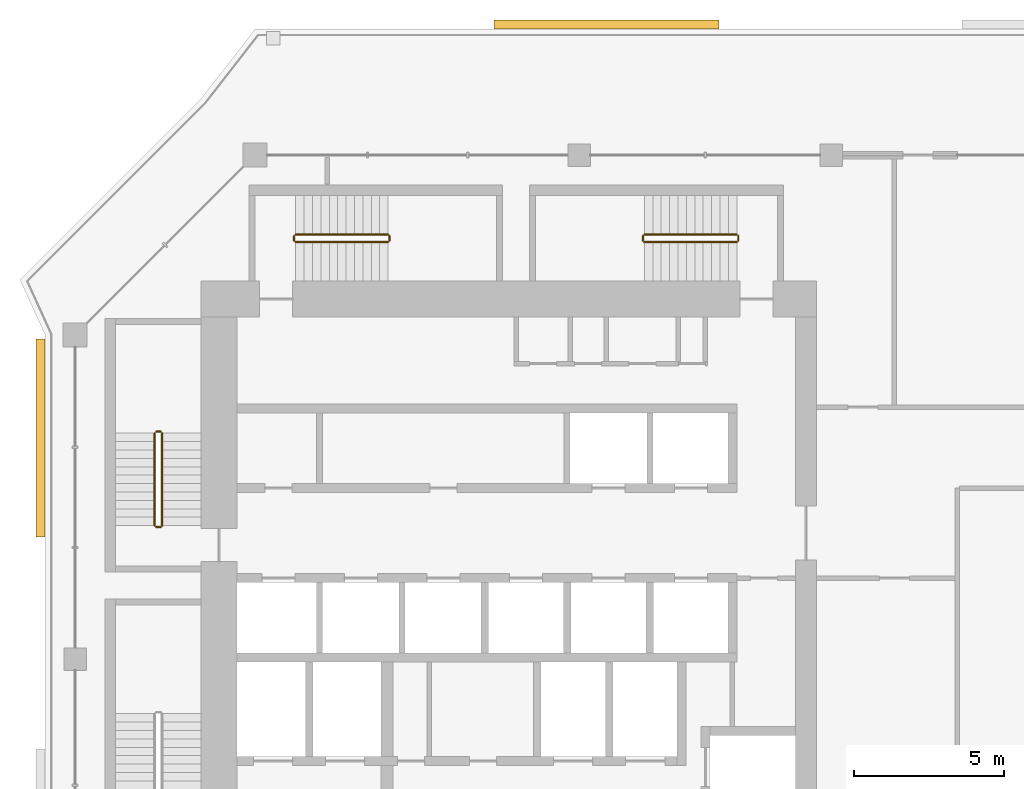
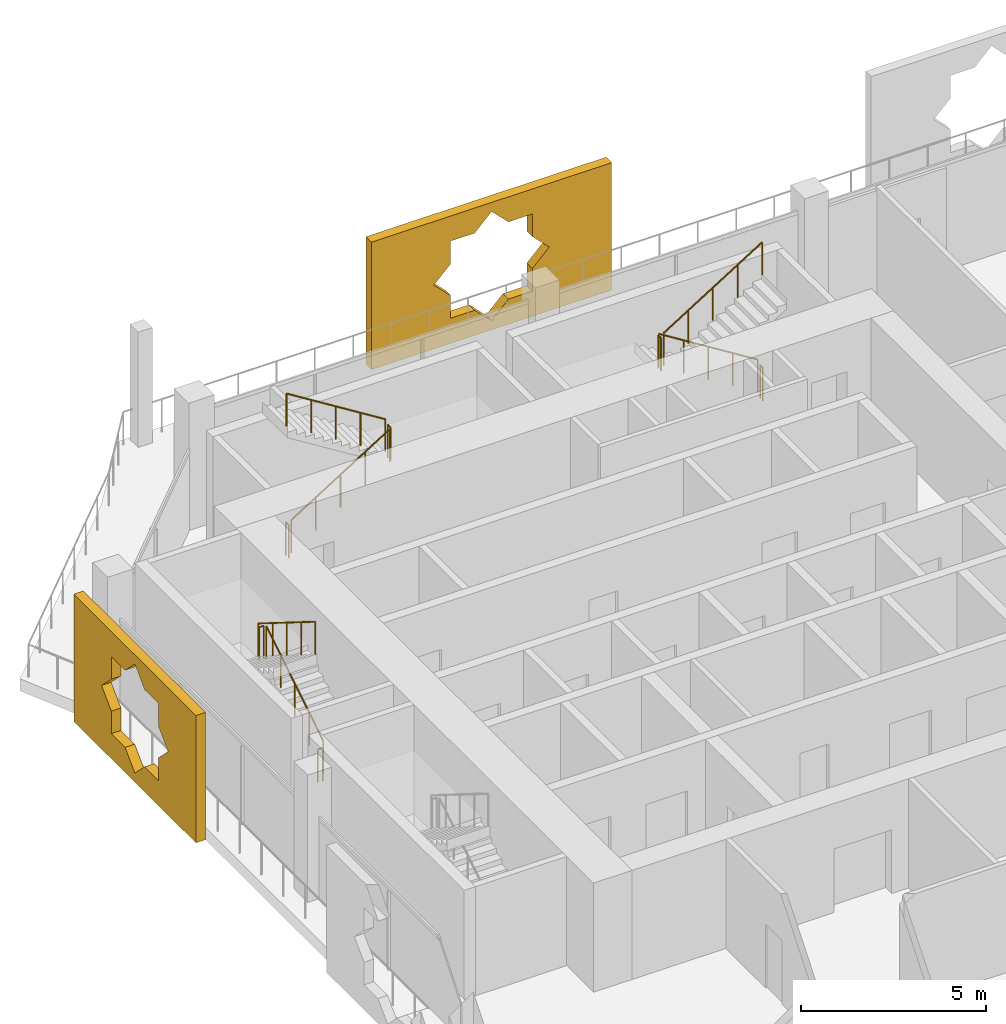
# One storey, part 18 of 20: 12 railings, 2 coverings.
"""IFC4 building model written with IfcOpenShell, lengths in metres."""

from ifc_helpers import new_model, si_unit, direction, frame, origin, origin_2d, place, context, subcontext, project, spatial, polyline, circle, outline, extrude, material, material_profile, profile_set, type_object, element, save


model = new_model("IFC4")

# Units and contexts
model_context = context("Model", 3, precision=1e-05, world=origin(), true_north=direction((0.0, 1.0)))
body_context = subcontext(model_context, "Body", "Model", "MODEL_VIEW")
ifc_project = project(units=[si_unit("LENGTHUNIT", "METRE"), si_unit("AREAUNIT", "SQUARE_METRE"), si_unit("VOLUMEUNIT", "CUBIC_METRE"), si_unit("PLANEANGLEUNIT", "RADIAN"), si_unit("MASSUNIT", "GRAM", prefix="KILO")], contexts=[model_context])

# Site, building, storey
site_placement = place(None, origin())
site = spatial("IfcSite", under=ifc_project, at=site_placement, CompositionType="ELEMENT")
building_placement = place(site_placement, origin())
building = spatial("IfcBuilding", under=site, at=building_placement, Name="Kawkab Arch Medical Tower", CompositionType="ELEMENT")
storey_placement = place(building_placement, frame((0.0, 0.0, 277.60009765625)))
storey = spatial("IfcBuildingStorey", under=building, at=storey_placement, Name="L64", CompositionType="ELEMENT", Elevation=277.60009765625)

# Coverings
ifc_material_1 = material(Name="Bronze anodised aluminium mashrabiya panel, eight-point star pattern", Category="aluminium")
ifc_material_profile_1 = material_profile(ifc_material_1, outline(polyline([(-3.300048828125, -2.10009765625), (3.300048828125, -2.10009765625), (3.300048828125, 2.10009765625), (-3.300048828125, 2.10009765625), (-3.300048828125, -2.10009765625)]), holes=[polyline([(1.800048828125, 0.0), (1.272705078125, 0.527099609375), (1.272705078125, 1.272705078125), (0.527099609375, 1.272705078125), (0.0, 1.800048828125), (-0.527099609375, 1.272705078125), (-1.272705078125, 1.272705078125), (-1.272705078125, 0.527099609375), (-1.800048828125, 0.0), (-1.272705078125, -0.527099609375), (-1.272705078125, -1.272705078125), (-0.527099609375, -1.272705078125), (0.0, -1.800048828125), (0.527099609375, -1.272705078125), (1.272705078125, -1.272705078125), (1.272705078125, -0.527099609375), (1.800048828125, 0.0)])]), Name="Mashrabiya panel 6600x4200")
ifc_profile_set_1 = profile_set([ifc_material_profile_1], Name="Bronze anodised aluminium mashrabiya panel, eight-point star pattern")
covering_type_1 = type_object("IfcCoveringType", Name="Mashrabiya panel 6600 x 4200", PredefinedType="USERDEFINED", material=ifc_profile_set_1)
covering_1_placement = place(storey_placement, frame((-1.0, -9.438232421875, 1.699951171875), z_axis=(-1.0, 0.0, 0.0), x_axis=(0.0, -1.0, 0.0)))
element("IfcCovering", 1, at=covering_1_placement, inside=storey, type_object=covering_type_1, Name="Mashrabiya panel L64.LOG-01-01.7", ObjectType="SCREEN", PredefinedType="USERDEFINED", context=body_context, shape_type="SweptSolid", body=[
    extrude(outline(polyline([(-3.300048828125, -2.10009765625), (3.300048828125, -2.10009765625), (3.300048828125, 2.10009765625), (-3.300048828125, 2.10009765625), (-3.300048828125, -2.10009765625)]), holes=[polyline([(1.800048828125, 0.0), (1.272705078125, 0.527099609375), (1.272705078125, 1.272705078125), (0.527099609375, 1.272705078125), (0.0, 1.800048828125), (-0.527099609375, 1.272705078125), (-1.272705078125, 1.272705078125), (-1.272705078125, 0.527099609375), (-1.800048828125, 0.0), (-1.272705078125, -0.527099609375), (-1.272705078125, -1.272705078125), (-0.527099609375, -1.272705078125), (0.0, -1.800048828125), (0.527099609375, -1.272705078125), (1.272705078125, -1.272705078125), (1.272705078125, -0.527099609375), (1.800048828125, 0.0)])]), origin(), (0.0, 0.0, 1.0), 0.300048828125),
])
ifc_material_2 = material(Name="Bronze anodised aluminium mashrabiya panel, eight-point star pattern", Category="aluminium")
ifc_material_profile_2 = material_profile(ifc_material_2, outline(polyline([(-3.75, -2.10009765625), (3.75, -2.10009765625), (3.75, 2.10009765625), (-3.75, 2.10009765625), (-3.75, -2.10009765625)]), holes=[polyline([(1.800048828125, 0.0), (1.272705078125, 0.527099609375), (1.272705078125, 1.272705078125), (0.527099609375, 1.272705078125), (0.0, 1.800048828125), (-0.527099609375, 1.272705078125), (-1.272705078125, 1.272705078125), (-1.272705078125, 0.527099609375), (-1.800048828125, 0.0), (-1.272705078125, -0.527099609375), (-1.272705078125, -1.272705078125), (-0.527099609375, -1.272705078125), (0.0, -1.800048828125), (0.527099609375, -1.272705078125), (1.272705078125, -1.272705078125), (1.272705078125, -0.527099609375), (1.800048828125, 0.0)])]), Name="Mashrabiya panel 7500x4200")
ifc_profile_set_2 = profile_set([ifc_material_profile_2], Name="Bronze anodised aluminium mashrabiya panel, eight-point star pattern")
covering_type_2 = type_object("IfcCoveringType", Name="Mashrabiya panel 7500 x 4200", PredefinedType="USERDEFINED", material=ifc_profile_set_2)
covering_2_placement = place(storey_placement, frame((17.702392578125, 4.199951171875, 1.699951171875), z_axis=(0.0, 1.0, 0.0), x_axis=(-1.0, 0.0, 0.0)))
element("IfcCovering", 2, at=covering_2_placement, inside=storey, type_object=covering_type_2, Name="Mashrabiya panel L64.LOG-01-01.8", ObjectType="SCREEN", PredefinedType="USERDEFINED", context=body_context, shape_type="SweptSolid", body=[
    extrude(outline(polyline([(-3.75, -2.10009765625), (3.75, -2.10009765625), (3.75, 2.10009765625), (-3.75, 2.10009765625), (-3.75, -2.10009765625)]), holes=[polyline([(1.800048828125, 0.0), (1.272705078125, 0.527099609375), (1.272705078125, 1.272705078125), (0.527099609375, 1.272705078125), (0.0, 1.800048828125), (-0.527099609375, 1.272705078125), (-1.272705078125, 1.272705078125), (-1.272705078125, 0.527099609375), (-1.800048828125, 0.0), (-1.272705078125, -0.527099609375), (-1.272705078125, -1.272705078125), (-0.527099609375, -1.272705078125), (0.0, -1.800048828125), (0.527099609375, -1.272705078125), (1.272705078125, -1.272705078125), (1.272705078125, -0.527099609375), (1.800048828125, 0.0)])]), origin(), (0.0, 0.0, 1.0), 0.300048828125),
])

# Railings
ifc_material_3 = material(Name="Stainless steel", Category="steel")
railing_type = type_object("IfcRailingType", Name="Stair guard 1100", PredefinedType="GUARDRAIL", material=ifc_material_3)
railing_1_placement = place(storey_placement, frame((2.89990234375, -12.35009765625, 0.1748046875)))
element("IfcRailing", 3, at=railing_1_placement, inside=storey, type_object=railing_type, Name="L64 ST1 stair guard 1", PredefinedType="GUARDRAIL", context=body_context, shape_type="SweptSolid", body=[
    extrude(circle(Radius=0.02392578125, at=origin_2d()), frame((0.0, 0.0, 1.076171875), z_axis=(0.0, 0.847998304005, 0.529998940003), x_axis=(-1.0, 0.0, 0.0)), (0.0, 0.0, 1.0), 3.632080078125),
    extrude(circle(Radius=0.02099609375, at=origin_2d()), origin(), (0.0, 0.0, 1.0), 1.052001953125),
    extrude(circle(Radius=0.02099609375, at=origin_2d()), frame((0.0, 0.77001953125, 0.481201171875)), (0.0, 0.0, 1.0), 1.052001953125),
    extrude(circle(Radius=0.02099609375, at=origin_2d()), frame((0.0, 1.5400390625, 0.96240234375)), (0.0, 0.0, 1.0), 1.052001953125),
    extrude(circle(Radius=0.02099609375, at=origin_2d()), frame((0.0, 2.31005859375, 1.44384765625)), (0.0, 0.0, 1.0), 1.052001953125),
    extrude(circle(Radius=0.02099609375, at=origin_2d()), frame((0.0, 3.080078125, 1.925048828125)), (0.0, 0.0, 1.0), 1.052001953125),
])
railing_2_placement = place(storey_placement, frame((2.85009765625, -9.219970703125, 2.099853515625)))
element("IfcRailing", 4, at=railing_2_placement, inside=storey, type_object=railing_type, Name="L64 ST1 stair guard 2", PredefinedType="GUARDRAIL", context=body_context, shape_type="SweptSolid", body=[
    extrude(circle(Radius=0.02392578125, at=origin_2d()), frame((0.0, 0.0, 1.076171875), z_axis=(-1.0, 0.0, 0.0), x_axis=(0.0, -1.0, 0.0)), (0.0, 0.0, 1.0), 0.150146484375),
    extrude(circle(Radius=0.02099609375, at=origin_2d()), origin(), (0.0, 0.0, 1.0), 1.052001953125),
    extrude(circle(Radius=0.02099609375, at=origin_2d()), frame((-0.150146484375, 0.0, 0.0)), (0.0, 0.0, 1.0), 1.052001953125),
])
railing_3_placement = place(storey_placement, frame((2.64990234375, -9.27001953125, 2.27490234375)))
element("IfcRailing", 5, at=railing_3_placement, inside=storey, type_object=railing_type, Name="L64 ST1 stair guard 3", PredefinedType="GUARDRAIL", context=body_context, shape_type="SweptSolid", body=[
    extrude(circle(Radius=0.02392578125, at=origin_2d()), frame((0.0, 0.0, 1.076171875), z_axis=(0.0, -0.847998304005, 0.529998940003), x_axis=(1.0, 0.0, 0.0)), (0.0, 0.0, 1.0), 3.632080078125),
    extrude(circle(Radius=0.02099609375, at=origin_2d()), origin(), (0.0, 0.0, 1.0), 1.052001953125),
    extrude(circle(Radius=0.02099609375, at=origin_2d()), frame((0.0, -0.77001953125, 0.481201171875)), (0.0, 0.0, 1.0), 1.052001953125),
    extrude(circle(Radius=0.02099609375, at=origin_2d()), frame((0.0, -1.5400390625, 0.96240234375)), (0.0, 0.0, 1.0), 1.052001953125),
    extrude(circle(Radius=0.02099609375, at=origin_2d()), frame((0.0, -2.31005859375, 1.44384765625)), (0.0, 0.0, 1.0), 1.052001953125),
    extrude(circle(Radius=0.02099609375, at=origin_2d()), frame((0.0, -3.080078125, 1.925048828125)), (0.0, 0.0, 1.0), 1.052001953125),
])
railing_4_placement = place(storey_placement, frame((2.85009765625, -12.39990234375, 0.0)))
element("IfcRailing", 6, at=railing_4_placement, inside=storey, type_object=railing_type, Name="L64 ST1 stair guard 4", PredefinedType="GUARDRAIL", context=body_context, shape_type="SweptSolid", body=[
    extrude(circle(Radius=0.02392578125, at=origin_2d()), frame((0.0, 0.0, 1.076171875), z_axis=(-1.0, 0.0, 0.0), x_axis=(0.0, -1.0, 0.0)), (0.0, 0.0, 1.0), 0.150146484375),
    extrude(circle(Radius=0.02099609375, at=origin_2d()), origin(), (0.0, 0.0, 1.0), 1.052001953125),
    extrude(circle(Radius=0.02099609375, at=origin_2d()), frame((-0.150146484375, 0.0, 0.0)), (0.0, 0.0, 1.0), 1.052001953125),
])
railing_5_placement = place(storey_placement, frame((7.35009765625, -2.89990234375, 0.1748046875)))
element("IfcRailing", 7, at=railing_5_placement, inside=storey, type_object=railing_type, Name="L64 ST3 stair guard 1", PredefinedType="GUARDRAIL", context=body_context, shape_type="SweptSolid", body=[
    extrude(circle(Radius=0.02392578125, at=origin_2d()), frame((0.0, 0.0, 1.076171875), z_axis=(0.847979421464, 0.0, 0.530029150871), x_axis=(0.0, 1.0, 0.0)), (0.0, 0.0, 1.0), 3.632080078125),
    extrude(circle(Radius=0.02099609375, at=origin_2d()), origin(), (0.0, 0.0, 1.0), 1.052001953125),
    extrude(circle(Radius=0.02099609375, at=origin_2d()), frame((0.77001953125, 0.0, 0.481201171875)), (0.0, 0.0, 1.0), 1.052001953125),
    extrude(circle(Radius=0.02099609375, at=origin_2d()), frame((1.5400390625, 0.0, 0.96240234375)), (0.0, 0.0, 1.0), 1.052001953125),
    extrude(circle(Radius=0.02099609375, at=origin_2d()), frame((2.309814453125, 0.0, 1.44384765625)), (0.0, 0.0, 1.0), 1.052001953125),
    extrude(circle(Radius=0.02099609375, at=origin_2d()), frame((3.079833984375, 0.0, 1.925048828125)), (0.0, 0.0, 1.0), 1.052001953125),
])
railing_6_placement = place(storey_placement, frame((10.47998046875, -2.85009765625, 2.099853515625)))
element("IfcRailing", 8, at=railing_6_placement, inside=storey, type_object=railing_type, Name="L64 ST3 stair guard 2", PredefinedType="GUARDRAIL", context=body_context, shape_type="SweptSolid", body=[
    extrude(circle(Radius=0.02392578125, at=origin_2d()), frame((0.0, 0.0, 1.076171875), z_axis=(0.0, 1.0, 0.0), x_axis=(-1.0, 0.0, 0.0)), (0.0, 0.0, 1.0), 0.150146484375),
    extrude(circle(Radius=0.02099609375, at=origin_2d()), origin(), (0.0, 0.0, 1.0), 1.052001953125),
    extrude(circle(Radius=0.02099609375, at=origin_2d()), frame((0.0, 0.150146484375, 0.0)), (0.0, 0.0, 1.0), 1.052001953125),
])
railing_7_placement = place(storey_placement, frame((10.429931640625, -2.64990234375, 2.27490234375)))
element("IfcRailing", 9, at=railing_7_placement, inside=storey, type_object=railing_type, Name="L64 ST3 stair guard 3", PredefinedType="GUARDRAIL", context=body_context, shape_type="SweptSolid", body=[
    extrude(circle(Radius=0.02392578125, at=origin_2d()), frame((0.0, 0.0, 1.076171875), z_axis=(-0.847979421464, 0.0, 0.530029150871), x_axis=(0.0, -1.0, 0.0)), (0.0, 0.0, 1.0), 3.632080078125),
    extrude(circle(Radius=0.02099609375, at=origin_2d()), origin(), (0.0, 0.0, 1.0), 1.052001953125),
    extrude(circle(Radius=0.02099609375, at=origin_2d()), frame((-0.77001953125, 0.0, 0.481201171875)), (0.0, 0.0, 1.0), 1.052001953125),
    extrude(circle(Radius=0.02099609375, at=origin_2d()), frame((-1.5400390625, 0.0, 0.96240234375)), (0.0, 0.0, 1.0), 1.052001953125),
    extrude(circle(Radius=0.02099609375, at=origin_2d()), frame((-2.309814453125, 0.0, 1.44384765625)), (0.0, 0.0, 1.0), 1.052001953125),
    extrude(circle(Radius=0.02099609375, at=origin_2d()), frame((-3.079833984375, 0.0, 1.925048828125)), (0.0, 0.0, 1.0), 1.052001953125),
])
railing_8_placement = place(storey_placement, frame((7.300048828125, -2.85009765625, 0.0)))
element("IfcRailing", 10, at=railing_8_placement, inside=storey, type_object=railing_type, Name="L64 ST3 stair guard 4", PredefinedType="GUARDRAIL", context=body_context, shape_type="SweptSolid", body=[
    extrude(circle(Radius=0.02392578125, at=origin_2d()), frame((0.0, 0.0, 1.076171875), z_axis=(0.0, 1.0, 0.0), x_axis=(-1.0, 0.0, 0.0)), (0.0, 0.0, 1.0), 0.150146484375),
    extrude(circle(Radius=0.02099609375, at=origin_2d()), origin(), (0.0, 0.0, 1.0), 1.052001953125),
    extrude(circle(Radius=0.02099609375, at=origin_2d()), frame((0.0, 0.150146484375, 0.0)), (0.0, 0.0, 1.0), 1.052001953125),
])
railing_9_placement = place(storey_placement, frame((22.050048828125, -2.64990234375, 0.1748046875)))
element("IfcRailing", 11, at=railing_9_placement, inside=storey, type_object=railing_type, Name="L64 ST4 stair guard 1", PredefinedType="GUARDRAIL", context=body_context, shape_type="SweptSolid", body=[
    extrude(circle(Radius=0.02392578125, at=origin_2d()), frame((0.0, 0.0, 1.076171875), z_axis=(-0.847998304005, 0.0, 0.529998940003), x_axis=(0.0, -1.0, 0.0)), (0.0, 0.0, 1.0), 3.632080078125),
    extrude(circle(Radius=0.02099609375, at=origin_2d()), origin(), (0.0, 0.0, 1.0), 1.052001953125),
    extrude(circle(Radius=0.02099609375, at=origin_2d()), frame((-0.77001953125, 0.0, 0.481201171875)), (0.0, 0.0, 1.0), 1.052001953125),
    extrude(circle(Radius=0.02099609375, at=origin_2d()), frame((-1.5400390625, 0.0, 0.96240234375)), (0.0, 0.0, 1.0), 1.052001953125),
    extrude(circle(Radius=0.02099609375, at=origin_2d()), frame((-2.31005859375, 0.0, 1.44384765625)), (0.0, 0.0, 1.0), 1.052001953125),
    extrude(circle(Radius=0.02099609375, at=origin_2d()), frame((-3.080078125, 0.0, 1.925048828125)), (0.0, 0.0, 1.0), 1.052001953125),
])
railing_10_placement = place(storey_placement, frame((18.919921875, -2.699951171875, 2.099853515625)))
element("IfcRailing", 12, at=railing_10_placement, inside=storey, type_object=railing_type, Name="L64 ST4 stair guard 2", PredefinedType="GUARDRAIL", context=body_context, shape_type="SweptSolid", body=[
    extrude(circle(Radius=0.02392578125, at=origin_2d()), frame((0.0, 0.0, 1.076171875), z_axis=(0.0, -1.0, 0.0), x_axis=(1.0, 0.0, 0.0)), (0.0, 0.0, 1.0), 0.150146484375),
    extrude(circle(Radius=0.02099609375, at=origin_2d()), origin(), (0.0, 0.0, 1.0), 1.052001953125),
    extrude(circle(Radius=0.02099609375, at=origin_2d()), frame((0.0, -0.150146484375, 0.0)), (0.0, 0.0, 1.0), 1.052001953125),
])
railing_11_placement = place(storey_placement, frame((18.969970703125, -2.89990234375, 2.27490234375)))
element("IfcRailing", 13, at=railing_11_placement, inside=storey, type_object=railing_type, Name="L64 ST4 stair guard 3", PredefinedType="GUARDRAIL", context=body_context, shape_type="SweptSolid", body=[
    extrude(circle(Radius=0.02392578125, at=origin_2d()), frame((0.0, 0.0, 1.076171875), z_axis=(0.847998304005, 0.0, 0.529998940003), x_axis=(0.0, 1.0, 0.0)), (0.0, 0.0, 1.0), 3.632080078125),
    extrude(circle(Radius=0.02099609375, at=origin_2d()), origin(), (0.0, 0.0, 1.0), 1.052001953125),
    extrude(circle(Radius=0.02099609375, at=origin_2d()), frame((0.77001953125, 0.0, 0.481201171875)), (0.0, 0.0, 1.0), 1.052001953125),
    extrude(circle(Radius=0.02099609375, at=origin_2d()), frame((1.5400390625, 0.0, 0.96240234375)), (0.0, 0.0, 1.0), 1.052001953125),
    extrude(circle(Radius=0.02099609375, at=origin_2d()), frame((2.31005859375, 0.0, 1.44384765625)), (0.0, 0.0, 1.0), 1.052001953125),
    extrude(circle(Radius=0.02099609375, at=origin_2d()), frame((3.080078125, 0.0, 1.925048828125)), (0.0, 0.0, 1.0), 1.052001953125),
])
railing_12_placement = place(storey_placement, frame((22.10009765625, -2.699951171875, 0.0)))
element("IfcRailing", 14, at=railing_12_placement, inside=storey, type_object=railing_type, Name="L64 ST4 stair guard 4", PredefinedType="GUARDRAIL", context=body_context, shape_type="SweptSolid", body=[
    extrude(circle(Radius=0.02392578125, at=origin_2d()), frame((0.0, 0.0, 1.076171875), z_axis=(0.0, -1.0, 0.0), x_axis=(1.0, 0.0, 0.0)), (0.0, 0.0, 1.0), 0.150146484375),
    extrude(circle(Radius=0.02099609375, at=origin_2d()), origin(), (0.0, 0.0, 1.0), 1.052001953125),
    extrude(circle(Radius=0.02099609375, at=origin_2d()), frame((0.0, -0.150146484375, 0.0)), (0.0, 0.0, 1.0), 1.052001953125),
])

save(model, "model.ifc")
